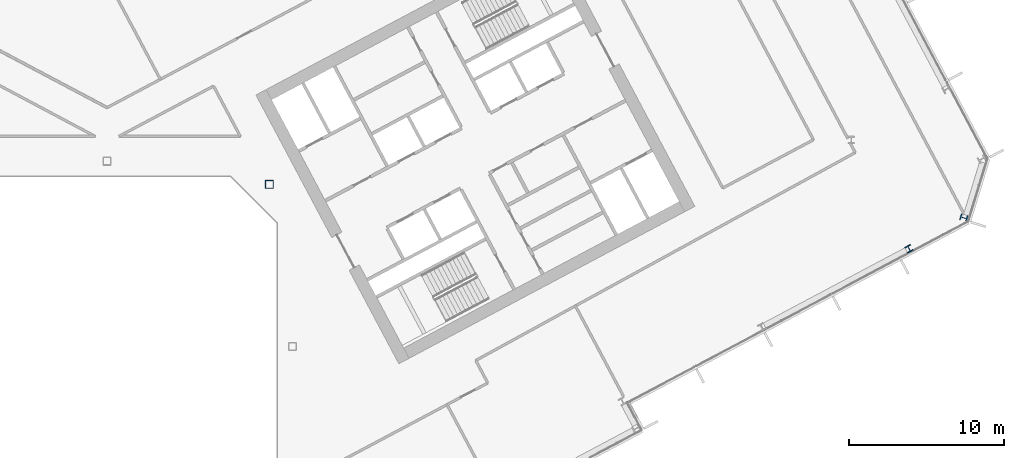
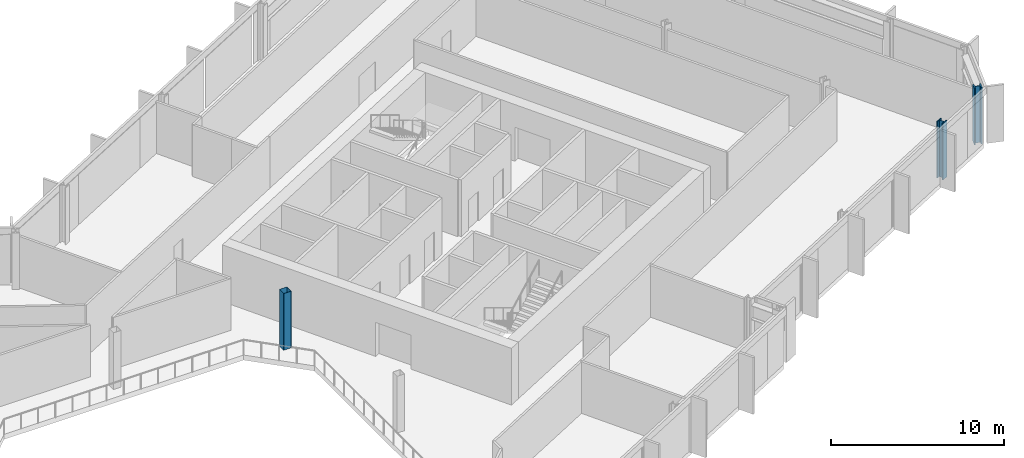
# One storey, part 6 of 28: 3 columns.
"""IFC4 building model written with IfcOpenShell, lengths in metres."""

from ifc_helpers import new_model, si_unit, direction, frame, origin, origin_2d, place, context, subcontext, project, spatial, hollow_rectangle, i_section, extrude, material, material_profile, profile_set, type_object, element, save


model = new_model("IFC4")

# Units and contexts
model_context = context("Model", 3, precision=1e-05, world=origin(), true_north=direction((0.0, 1.0)))
body_context = subcontext(model_context, "Body", "Model", "MODEL_VIEW")
ifc_project = project(units=[si_unit("LENGTHUNIT", "METRE"), si_unit("AREAUNIT", "SQUARE_METRE"), si_unit("VOLUMEUNIT", "CUBIC_METRE"), si_unit("PLANEANGLEUNIT", "RADIAN"), si_unit("MASSUNIT", "GRAM", prefix="KILO")], contexts=[model_context])

# Site, building, storey
site_placement = place(None, origin())
site = spatial("IfcSite", under=ifc_project, at=site_placement, CompositionType="ELEMENT")
building_placement = place(site_placement, origin())
building = spatial("IfcBuilding", under=site, at=building_placement, Name="Cormorant Relay Tower", CompositionType="ELEMENT")
storey_placement = place(building_placement, frame((0.0, 0.0, 166.199951171875)))
storey = spatial("IfcBuildingStorey", under=building, at=storey_placement, Name="L35", CompositionType="ELEMENT", Elevation=166.199951171875)

# Columns
ifc_material_1 = material(Name="Steel ASTM A500 Grade C (Fy 345 MPa)", Category="steel")
ifc_material_profile_1 = material_profile(ifc_material_1, hollow_rectangle(XDim=0.508056640625, YDim=0.508056640625, WallThickness=0.01171875, InnerFilletRadius=0.005859375, OuterFilletRadius=0.017822265625, at=origin_2d()), Name="HSS508x508x12")
ifc_profile_set_1 = profile_set([ifc_material_profile_1], Name="Steel ASTM A500 Grade C (Fy 345 MPa)")
column_type_1 = type_object("IfcColumnType", Name="Column HSS508x508x12", PredefinedType="COLUMN", material=ifc_profile_set_1)
column_1_placement = place(storey_placement, frame((10.5, 10.5, 0.0), z_axis=(0.0, 0.0, 1.0), x_axis=(1.0, 0.0, 0.0)))
element("IfcColumn", 1, at=column_1_placement, inside=storey, type_object=column_type_1, Name="Column L35-024", PredefinedType="COLUMN", context=body_context, shape_type="SweptSolid", body=[
    extrude(hollow_rectangle(XDim=0.508056640625, YDim=0.508056640625, WallThickness=0.01171875, InnerFilletRadius=0.005859375, OuterFilletRadius=0.017822265625, at=origin_2d()), origin(), (0.0, 0.0, 1.0), 4.0),
])
ifc_material_2 = material(Name="Steel ASTM A992 (Fy 345 MPa)", Category="steel")
ifc_material_profile_2 = material_profile(ifc_material_2, i_section(OverallWidth=0.41162109375, OverallDepth=0.434326171875, WebThickness=0.035888671875, FlangeThickness=0.057373046875, FilletRadius=0.01513671875, at=origin_2d()), Name="W360x463")
ifc_profile_set_2 = profile_set([ifc_material_profile_2], Name="Steel ASTM A992 (Fy 345 MPa)")
column_type_2 = type_object("IfcColumnType", Name="Column W360x463", PredefinedType="COLUMN", material=ifc_profile_set_2)
column_2_placement = place(storey_placement, frame((51.905029296875, 6.327880859375, 0.0), z_axis=(0.0, 0.0, 1.0), x_axis=(0.882947592859, 0.469471562786, 0.0)))
element("IfcColumn", 2, at=column_2_placement, inside=storey, type_object=column_type_2, Name="Column L35-020", PredefinedType="COLUMN", context=body_context, shape_type="SweptSolid", body=[
    extrude(i_section(OverallWidth=0.41162109375, OverallDepth=0.434326171875, WebThickness=0.035888671875, FlangeThickness=0.057373046875, FilletRadius=0.01513671875, at=origin_2d()), origin(), (0.0, 0.0, 1.0), 4.0),
])
ifc_material_3 = material(Name="Steel ASTM A992 (Fy 345 MPa)", Category="steel")
ifc_material_profile_3 = material_profile(ifc_material_3, i_section(OverallWidth=0.42431640625, OverallDepth=0.47509765625, WebThickness=0.0478515625, FlangeThickness=0.0771484375, FilletRadius=0.014892578125, at=origin_2d()), Name="W360x634")
ifc_profile_set_3 = profile_set([ifc_material_profile_3], Name="Steel ASTM A992 (Fy 345 MPa)")
column_type_3 = type_object("IfcColumnType", Name="Column W360x634", PredefinedType="COLUMN", material=ifc_profile_set_3)
column_3_placement = place(storey_placement, frame((55.446044921875, 8.3291015625, 0.0), z_axis=(0.0, 0.0, 1.0), x_axis=(0.292371704723, 0.956304755963, 0.0)))
element("IfcColumn", 3, at=column_3_placement, inside=storey, type_object=column_type_3, Name="Column L35-021", PredefinedType="COLUMN", context=body_context, shape_type="SweptSolid", body=[
    extrude(i_section(OverallWidth=0.42431640625, OverallDepth=0.47509765625, WebThickness=0.0478515625, FlangeThickness=0.0771484375, FilletRadius=0.014892578125, at=origin_2d()), origin(), (0.0, 0.0, 1.0), 4.0),
])

save(model, "model.ifc")
